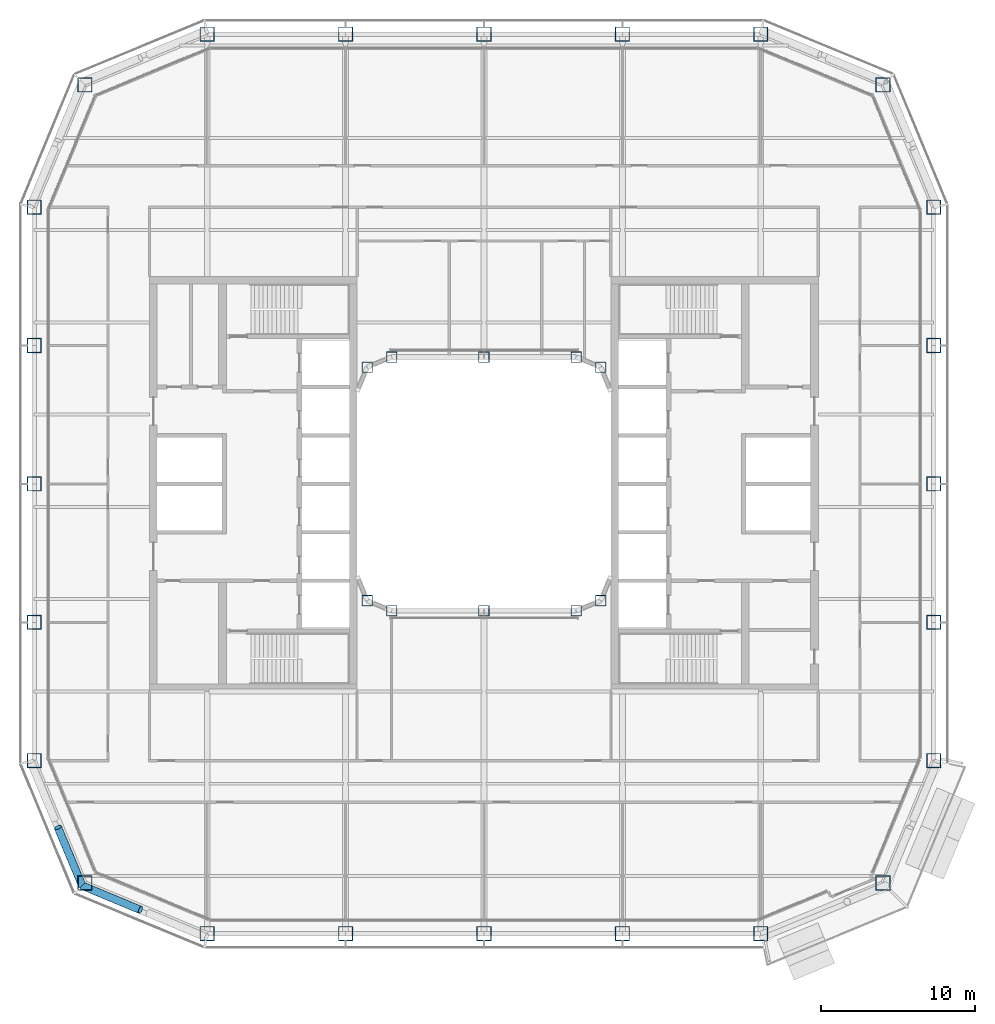
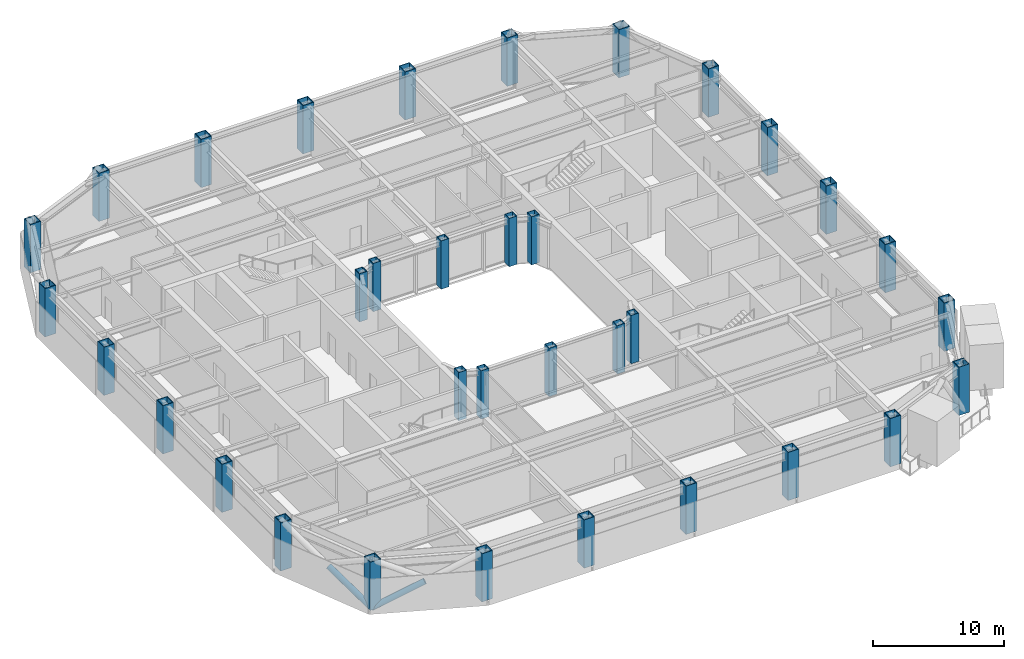
# One storey, part 1 of 23: 34 columns, 2 members.
"""IFC4 building model written with IfcOpenShell, lengths in metres."""

import ifcopenshell
import ifcopenshell.guid

model = None  # the IFC model being written
_history = None  # IfcOwnerHistory: only IFC2X3 demands one
_inside = {}  # id of a spatial element -> (the spatial element, [elements in it])
_under = {}  # id of a project, library or spatial element -> (it, [spatial elements below it])
_declared = {}  # id of a project -> (the project, [libraries it declares])
_typed = {}  # id of a type object -> (the type object, [elements of that type])
_made_of = {}  # id of a material, layer set ... -> (it, [elements and type objects made of it])


def new_model(schema):
    """Start an empty IFC model of exactly this schema.

    Asked for "IFC4X3", IfcOpenShell would pick the latest addendum, in which some entities
    have other attributes; the version numbers below select the first issue.
    IFC2X3 requires an IfcOwnerHistory on every rooted entity: one is made here for all.
    """
    global model, _history
    if schema == "IFC4X3":
        model = ifcopenshell.file(schema_version=(4, 3, 0, 0))
    else:
        model = ifcopenshell.file(schema=schema)
    _inside.clear()
    _under.clear()
    _declared.clear()
    _typed.clear()
    _made_of.clear()
    _history = None
    if model.schema == "IFC2X3":
        org = make("IfcOrganization", Name="unknown")
        user = make(
            "IfcPersonAndOrganization",
            ThePerson=make("IfcPerson", FamilyName="unknown"),
            TheOrganization=org,
        )
        app = make(
            "IfcApplication",
            ApplicationDeveloper=org,
            Version="unknown",
            ApplicationFullName="unknown",
            ApplicationIdentifier="unknown",
        )
        _history = make(
            "IfcOwnerHistory",
            OwningUser=user,
            OwningApplication=app,
            ChangeAction="ADDED",
            CreationDate=0,
        )
    return model


def make(cls, **values):
    """One entity of the class cls with the attributes given. An attribute that is None is left unset."""
    return model.create_entity(
        cls, **{name: value for name, value in values.items() if value is not None}
    )


def rooted(cls, **values):
    """An entity with a GlobalId (a new one), such as an element, a storey or a relation."""
    return make(cls, GlobalId=ifcopenshell.guid.new(), OwnerHistory=_history, **values)


def si_unit(unit_type, name, prefix=None):
    """IfcSIUnit, for example si_unit("LENGTHUNIT", "METRE", prefix="MILLI")."""
    return make("IfcSIUnit", UnitType=unit_type, Prefix=prefix, Name=name)


def assignment(units):
    """IfcUnitAssignment: the units of a project."""
    return None if units is None else make("IfcUnitAssignment", Units=units)


def point(xyz):
    """IfcCartesianPoint."""
    return None if xyz is None else make("IfcCartesianPoint", Coordinates=xyz)


def direction(xyz):
    """IfcDirection."""
    return None if xyz is None else make("IfcDirection", DirectionRatios=xyz)


def frame(location, z_axis=None, x_axis=None):
    """IfcAxis2Placement3D, a coordinate frame: its origin and axes. An axis left out is left unset."""
    return make(
        "IfcAxis2Placement3D",
        Location=point(location),
        Axis=direction(z_axis),
        RefDirection=direction(x_axis),
    )


def frame_2d(location, x_axis=None):
    """IfcAxis2Placement2D, a coordinate frame in the plane: its origin and x axis."""
    return make(
        "IfcAxis2Placement2D", Location=point(location), RefDirection=direction(x_axis)
    )


def origin():
    """The frame at (0, 0, 0) with its axes left unset."""
    return frame((0.0, 0.0, 0.0))


def origin_2d():
    """The frame at (0, 0) in the plane with its x axis left unset."""
    return frame_2d((0.0, 0.0))


def place(relative_to, where):
    """IfcLocalPlacement: puts the frame where relative to a parent placement (None: the world)."""
    return make(
        "IfcLocalPlacement", PlacementRelTo=relative_to, RelativePlacement=where
    )


def context(
    kind, dimensions, precision=None, world=None, true_north=None, identifier=None
):
    """IfcGeometricRepresentationContext, for example the 3D "Model" context."""
    return make(
        "IfcGeometricRepresentationContext",
        ContextIdentifier=identifier,
        ContextType=kind,
        CoordinateSpaceDimension=dimensions,
        Precision=precision,
        WorldCoordinateSystem=world,
        TrueNorth=true_north,
    )


def subcontext(parent, identifier, kind, view, scale=None):
    """IfcGeometricRepresentationSubContext, for example "Body" below "Model"."""
    return make(
        "IfcGeometricRepresentationSubContext",
        ContextIdentifier=identifier,
        ContextType=kind,
        ParentContext=parent,
        TargetScale=scale,
        TargetView=view,
    )


def project(units=None, contexts=None):
    """IfcProject with its units and contexts."""
    return rooted(
        "IfcProject",
        Name="project",
        RepresentationContexts=contexts,
        UnitsInContext=assignment(units),
    )


def spatial(cls, under=None, at=None, **own):
    """A site, building, storey or space (cls), placed at a placement, below another one or the project."""
    s = rooted(cls, ObjectPlacement=at, **own)
    if under is not None:
        _under.setdefault(under.id(), (under, []))[1].append(s)
    return s


def profile(cls, at=None, kind="AREA", **sizes):
    """A parametric profile (cls). Its sizes go by their IFC names, for example OverallWidth=200.0."""
    return make(cls, ProfileType=kind, Position=at, **sizes)


def hollow_rectangle(**sizes):
    """IfcRectangleHollowProfileDef."""
    return profile("IfcRectangleHollowProfileDef", **sizes)


def hollow_circle(**sizes):
    """IfcCircleHollowProfileDef."""
    return profile("IfcCircleHollowProfileDef", **sizes)


def extrude(swept, where, along, depth):
    """IfcExtrudedAreaSolid: the profile swept, set in the frame where, extruded along a direction by depth."""
    return make(
        "IfcExtrudedAreaSolid",
        SweptArea=swept,
        Position=where,
        ExtrudedDirection=direction(along),
        Depth=depth,
    )


def shape(context_of_items, identifier, shape_type, items):
    """IfcShapeRepresentation: the items that make up one representation, for example the "Body"."""
    return make(
        "IfcShapeRepresentation",
        ContextOfItems=context_of_items,
        RepresentationIdentifier=identifier,
        RepresentationType=shape_type,
        Items=items,
    )


def material(Name=None, Category=None):
    """IfcMaterial."""
    return make("IfcMaterial", Name=Name, Category=Category)


def material_profile(
    of_material, cross_section, Name=None, Category=None, Priority=None
):
    """IfcMaterialProfile: a cross section and its material."""
    return make(
        "IfcMaterialProfile",
        Name=Name,
        Material=of_material,
        Profile=cross_section,
        Priority=Priority,
        Category=Category,
    )


def profile_set(profiles, Name=None, composite=None):
    """IfcMaterialProfileSet."""
    return make(
        "IfcMaterialProfileSet",
        Name=Name,
        MaterialProfiles=profiles,
        CompositeProfile=composite,
    )


def made_of(thing, what):
    """Note that an element or type object is made of a material, layer set ...; save() writes the relation."""
    if what is not None:
        _made_of.setdefault(what.id(), (what, []))[1].append(thing)
    return thing


def type_object(cls, material=None, **own):
    """A type object (cls), such as IfcWallType, which elements share."""
    return made_of(rooted(cls, **own), material)


def element(
    cls,
    number,
    at=None,
    inside=None,
    cuts=None,
    type_object=None,
    material=None,
    context=None,
    identifier="Body",
    shape_type=None,
    held_by="IfcProductDefinitionShape",
    body=None,
    shapes=None,
    **own,
):
    """One element of the class cls, such as IfcWall. Its Tag is "e" and its number.

    at: its placement. inside: the storey or other place that contains it. cuts: it is an
    opening in that element (IfcRelVoidsElement). A single representation is given by context,
    identifier, shape_type and body (its items); several are given by shapes. held_by: the class
    of the entity that holds the representations. save() writes the other relations.
    """
    e = rooted(cls, Tag="e%d" % number, ObjectPlacement=at, **own)
    if body is not None:
        shapes = [shape(context, identifier, shape_type, body)]
    if shapes is not None:
        e.Representation = make(held_by, Representations=shapes)
    if inside is not None:
        _inside.setdefault(inside.id(), (inside, []))[1].append(e)
    if cuts is not None:
        rooted(
            "IfcRelVoidsElement", RelatingBuildingElement=cuts, RelatedOpeningElement=e
        )
    if type_object is not None:
        _typed.setdefault(type_object.id(), (type_object, []))[1].append(e)
    return made_of(e, material)


def aggregate(whole, parts):
    """IfcRelAggregates: a whole, such as a stair, and the parts it consists of."""
    return rooted("IfcRelAggregates", RelatingObject=whole, RelatedObjects=parts)


def save(model, path):
    """Write the relations noted so far, then the file.

    IfcRelAggregates (storeys below a building ...), IfcRelContainedInSpatialStructure (elements
    in a storey), IfcRelDefinesByType, IfcRelAssociatesMaterial and IfcRelDeclares: one each for
    every whole, place, type object, material and project.
    """
    for whole, parts in _under.values():
        aggregate(whole, parts)
    for where, things in _inside.values():
        rooted(
            "IfcRelContainedInSpatialStructure",
            RelatedElements=things,
            RelatingStructure=where,
        )
    for kind, things in _typed.values():
        rooted("IfcRelDefinesByType", RelatedObjects=things, RelatingType=kind)
    for what, things in _made_of.values():
        rooted("IfcRelAssociatesMaterial", RelatedObjects=things, RelatingMaterial=what)
    for by, libraries in _declared.values():
        rooted("IfcRelDeclares", RelatingContext=by, RelatedDefinitions=libraries)
    model.write(path)


model = new_model("IFC4")

# Units and contexts
model_context = context("Model", 3, precision=1e-05, world=origin(), true_north=direction((0.0, 1.0)))
body_context = subcontext(model_context, "Body", "Model", "MODEL_VIEW")
ifc_project = project(units=[si_unit("LENGTHUNIT", "METRE"), si_unit("AREAUNIT", "SQUARE_METRE"), si_unit("VOLUMEUNIT", "CUBIC_METRE"), si_unit("PLANEANGLEUNIT", "RADIAN"), si_unit("MASSUNIT", "GRAM", prefix="KILO")], contexts=[model_context])

# Site, building, storey
site_placement = place(None, origin())
site = spatial("IfcSite", under=ifc_project, at=site_placement, CompositionType="ELEMENT")
building_placement = place(site_placement, origin())
building = spatial("IfcBuilding", under=site, at=building_placement, Name="Siwar Civic Tower", CompositionType="ELEMENT")
storey_placement = place(building_placement, frame((0.0, 0.0, 127.199951171875)))
storey = spatial("IfcBuildingStorey", under=building, at=storey_placement, Name="L27", CompositionType="ELEMENT", Elevation=127.199951171875)

# Columns
ifc_material_1 = material(Name="Steel S355", Category="steel")
ifc_material_profile_1 = material_profile(ifc_material_1, hollow_rectangle(XDim=0.949951171875, YDim=0.949951171875, WallThickness=0.054931640625, at=origin_2d()), Name="BOX950x950x55")
ifc_profile_set_1 = profile_set([ifc_material_profile_1], Name="Steel S355")
column_type_1 = type_object("IfcColumnType", Name="STR-COL-BOX950x950x55", PredefinedType="COLUMN", material=ifc_profile_set_1)
for number, where, z_axis, x_axis, name in (
    (1, (-18.0, -29.25, 0.0), (0.0, 0.0, 1.0), (1.0, 0.0, 0.0), "L27/col/S-0"),
    (2, (-9.0, -29.25, 0.0), (0.0, 0.0, 1.0), (1.0, 0.0, 0.0), "L27/col/S-1"),
    (3, (0.0, -29.25, 0.0), (0.0, 0.0, 1.0), (1.0, 0.0, 0.0), "L27/col/S-2"),
    (4, (9.0, -29.25, 0.0), (0.0, 0.0, 1.0), (1.0, 0.0, 0.0), "L27/col/S-3"),
    (5, (18.0, -29.25, 0.0), (0.0, 0.0, 1.0), (1.0, 0.0, 0.0), "L27/col/SE1-0"),
    (6, (25.954833984375, -25.954833984375, 0.0), (0.0, 0.0, 1.0), (1.0, 0.0, 0.0), "L27/col/SE2-0"),
    (7, (29.25, -18.0, 0.0), (0.0, 0.0, 1.0), (1.0, 0.0, 0.0), "L27/col/E-0"),
    (8, (29.25, -9.0, 0.0), (0.0, 0.0, 1.0), (1.0, 0.0, 0.0), "L27/col/E-1"),
    (9, (29.25, 0.0, 0.0), (0.0, 0.0, 1.0), (1.0, 0.0, 0.0), "L27/col/E-2"),
    (10, (29.25, 9.0, 0.0), (0.0, 0.0, 1.0), (1.0, 0.0, 0.0), "L27/col/E-3"),
    (11, (29.25, 18.0, 0.0), (0.0, 0.0, 1.0), (1.0, 0.0, 0.0), "L27/col/NE1-0"),
    (12, (25.954833984375, 25.954833984375, 0.0), (0.0, 0.0, 1.0), (1.0, 0.0, 0.0), "L27/col/NE2-0"),
    (13, (18.0, 29.25, 0.0), (0.0, 0.0, 1.0), (1.0, 0.0, 0.0), "L27/col/N-0"),
    (14, (9.0, 29.25, 0.0), (0.0, 0.0, 1.0), (1.0, 0.0, 0.0), "L27/col/N-1"),
    (15, (0.0, 29.25, 0.0), (0.0, 0.0, 1.0), (1.0, 0.0, 0.0), "L27/col/N-2"),
    (16, (-9.0, 29.25, 0.0), (0.0, 0.0, 1.0), (1.0, 0.0, 0.0), "L27/col/N-3"),
    (17, (-18.0, 29.25, 0.0), (0.0, 0.0, 1.0), (1.0, 0.0, 0.0), "L27/col/NW1-0"),
    (18, (-25.954833984375, 25.954833984375, 0.0), (0.0, 0.0, 1.0), (1.0, 0.0, 0.0), "L27/col/NW2-0"),
    (19, (-29.25, 18.0, 0.0), (0.0, 0.0, 1.0), (1.0, 0.0, 0.0), "L27/col/W-0"),
    (20, (-29.25, 9.0, 0.0), (0.0, 0.0, 1.0), (1.0, 0.0, 0.0), "L27/col/W-1"),
    (21, (-29.25, 0.0, 0.0), (0.0, 0.0, 1.0), (1.0, 0.0, 0.0), "L27/col/W-2"),
    (22, (-29.25, -9.0, 0.0), (0.0, 0.0, 1.0), (1.0, 0.0, 0.0), "L27/col/W-3"),
    (23, (-29.25, -18.0, 0.0), (0.0, 0.0, 1.0), (1.0, 0.0, 0.0), "L27/col/SW1-0"),
    (24, (-25.954833984375, -25.954833984375, 0.0), (0.0, 0.0, 1.0), (1.0, 0.0, 0.0), "L27/col/SW2-0"),
):
    element("IfcColumn", number, at=place(storey_placement, frame(where, z_axis=z_axis, x_axis=x_axis)), inside=storey, type_object=column_type_1, Name=name, PredefinedType="COLUMN", context=body_context, shape_type="SweptSolid", body=[
        extrude(hollow_rectangle(XDim=0.949951171875, YDim=0.949951171875, WallThickness=0.054931640625, at=origin_2d()), origin(), (0.0, 0.0, 1.0), 4.5),
    ])
ifc_material_2 = material(Name="Steel S355", Category="steel")
ifc_material_profile_2 = material_profile(ifc_material_2, hollow_rectangle(XDim=0.699951171875, YDim=0.699951171875, WallThickness=0.0400390625, at=origin_2d()), Name="BOX700x700x40")
ifc_profile_set_2 = profile_set([ifc_material_profile_2], Name="Steel S355")
column_type_2 = type_object("IfcColumnType", Name="STR-ICOL-BOX700x700x40", PredefinedType="COLUMN", material=ifc_profile_set_2)
for number, where, z_axis, x_axis, name in (
    (25, (-7.591064453125, -7.591064453125, 0.0), (0.0, 0.0, 1.0), (1.0, 0.0, 0.0), "L27/col/IS-0"),
    (26, (-6.0, -8.25, 0.0), (0.0, 0.0, 1.0), (1.0, 0.0, 0.0), "L27/col/IS-1"),
    (27, (0.0, -8.25, 0.0), (0.0, 0.0, 1.0), (1.0, 0.0, 0.0), "L27/col/IS-2"),
    (28, (6.0, -8.25, 0.0), (0.0, 0.0, 1.0), (1.0, 0.0, 0.0), "L27/col/IS-3"),
    (29, (7.591064453125, -7.591064453125, 0.0), (0.0, 0.0, 1.0), (1.0, 0.0, 0.0), "L27/col/IS-4"),
    (30, (-7.591064453125, 7.591064453125, 0.0), (0.0, 0.0, 1.0), (1.0, 0.0, 0.0), "L27/col/IN-0"),
    (31, (-6.0, 8.25, 0.0), (0.0, 0.0, 1.0), (1.0, 0.0, 0.0), "L27/col/IN-1"),
    (32, (0.0, 8.25, 0.0), (0.0, 0.0, 1.0), (1.0, 0.0, 0.0), "L27/col/IN-2"),
    (33, (6.0, 8.25, 0.0), (0.0, 0.0, 1.0), (1.0, 0.0, 0.0), "L27/col/IN-3"),
    (34, (7.591064453125, 7.591064453125, 0.0), (0.0, 0.0, 1.0), (1.0, 0.0, 0.0), "L27/col/IN-4"),
):
    element("IfcColumn", number, at=place(storey_placement, frame(where, z_axis=z_axis, x_axis=x_axis)), inside=storey, type_object=column_type_2, Name=name, PredefinedType="COLUMN", context=body_context, shape_type="SweptSolid", body=[
        extrude(hollow_rectangle(XDim=0.699951171875, YDim=0.699951171875, WallThickness=0.0400390625, at=origin_2d()), origin(), (0.0, 0.0, 1.0), 4.5),
    ])

# Members
ifc_material_3 = material(Name="Steel S355", Category="steel")
ifc_material_profile_3 = material_profile(ifc_material_3, hollow_circle(Radius=0.25390625, WallThickness=0.02490234375, at=origin_2d()), Name="CHS508x25")
ifc_profile_set_3 = profile_set([ifc_material_profile_3], Name="Steel S355")
member_type = type_object("IfcMemberType", Name="STR-BR-CHS508x25", PredefinedType="BRACE", material=ifc_profile_set_3)
for number, where, z_axis, x_axis, name in (
    (35, (-26.1318359375, -26.1318359375, 0.0), (0.821143275065, -0.341662474736, 0.457154760636), (0.384154943021, 0.923268638995, 0.0), "L27/brc/BSW1-6-0-2"),
    (36, (-26.1318359375, -26.1318359375, 0.0), (-0.341662474736, 0.821143275065, 0.457154760636), (-0.923268638995, -0.384154943021, 0.0), "L27/brc/BSW1-6-0-4"),
):
    element("IfcMember", number, at=place(storey_placement, frame(where, z_axis=z_axis, x_axis=x_axis)), inside=storey, type_object=member_type, Name=name, PredefinedType="BRACE", context=body_context, shape_type="SweptSolid", body=[
        extrude(hollow_circle(Radius=0.25390625, WallThickness=0.02490234375, at=origin_2d()), origin(), (0.0, 0.0, 1.0), 4.61474609375),
    ])

save(model, "model.ifc")
